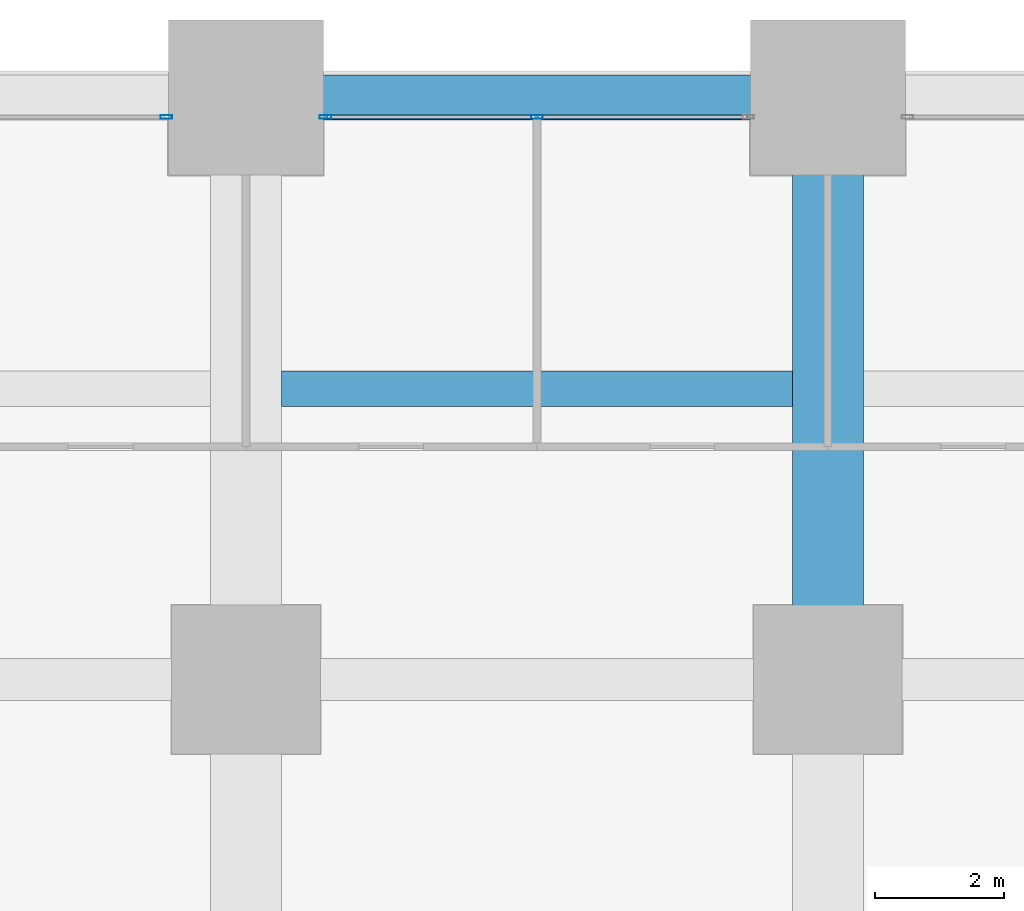
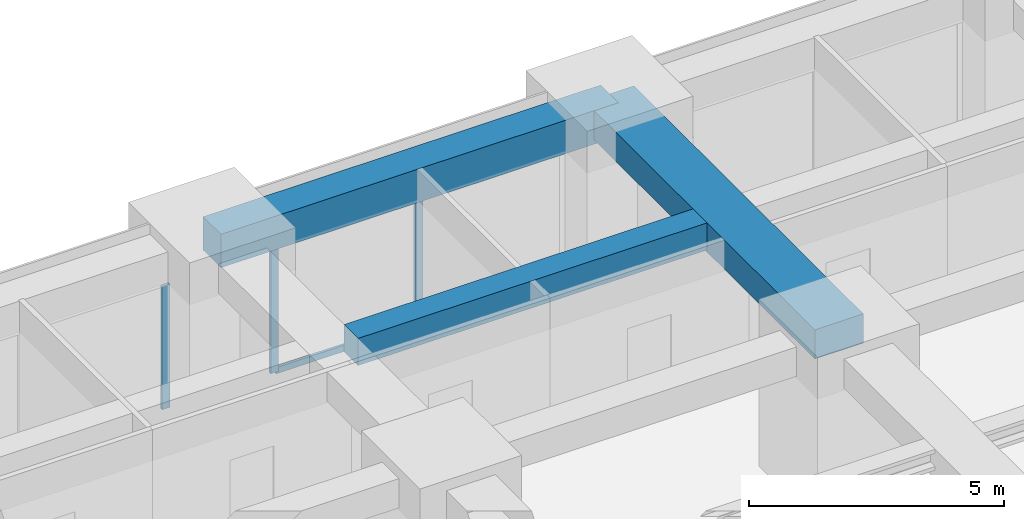
# One storey, part 29 of 44: 4 members, 3 beams, 2 elements without a shape of their own.
"""IFC4 building model written with IfcOpenShell, lengths in metres."""

from ifc_helpers import new_model, si_unit, direction, frame, origin, origin_2d, place, context, subcontext, project, spatial, rectangle, hollow_rectangle, extrude, material, material_profile, profile_set, type_object, element, aggregate, save


model = new_model("IFC4")

# Units and contexts
model_context = context("Model", 3, precision=1e-05, world=origin(), true_north=direction((0.0, 1.0)))
body_context = subcontext(model_context, "Body", "Model", "MODEL_VIEW")
ifc_project = project(units=[si_unit("LENGTHUNIT", "METRE"), si_unit("AREAUNIT", "SQUARE_METRE"), si_unit("VOLUMEUNIT", "CUBIC_METRE"), si_unit("PLANEANGLEUNIT", "RADIAN"), si_unit("MASSUNIT", "GRAM", prefix="KILO")], contexts=[model_context])

# Site, building, storey
site_placement = place(None, origin())
site = spatial("IfcSite", under=ifc_project, at=site_placement, CompositionType="ELEMENT")
building_placement = place(site_placement, origin())
building = spatial("IfcBuilding", under=site, at=building_placement, Name="Zorevar Civic Tower", CompositionType="ELEMENT")
storey_placement = place(building_placement, frame((0.0, 0.0, 31.800048828125)))
storey = spatial("IfcBuildingStorey", under=building, at=storey_placement, Name="L07", CompositionType="ELEMENT", Elevation=31.800048828125)

# Beams
ifc_material_1 = material(Name="Concrete C50/60", Category="concrete")
ifc_material_profile_1 = material_profile(ifc_material_1, rectangle(XDim=1.10009765625, YDim=0.699951171875, at=origin_2d()), Name="RC 1100x700")
ifc_profile_set_1 = profile_set([ifc_material_profile_1], Name="Concrete C50/60")
beam_type_1 = type_object("IfcBeamType", Name="Beam RC 1100x700", PredefinedType="BEAM", material=ifc_profile_set_1)
beam_1_placement = place(storey_placement, frame((27.0, 45.0, 3.39990234375), z_axis=(0.0, 1.0, 0.0), x_axis=(-1.0, 0.0, 0.0)))
element("IfcBeam", 1, at=beam_1_placement, inside=storey, type_object=beam_type_1, Name="Girder L08", PredefinedType="BEAM", context=body_context, shape_type="SweptSolid", body=[
    extrude(rectangle(XDim=1.10009765625, YDim=0.699951171875, at=origin_2d()), origin(), (0.0, 0.0, 1.0), 9.0),
])
ifc_material_2 = material(Name="Concrete C50/60", Category="concrete")
ifc_material_profile_2 = material_profile(ifc_material_2, rectangle(XDim=0.550048828125, YDim=0.64990234375, at=origin_2d()), Name="RC 550x650")
ifc_profile_set_2 = profile_set([ifc_material_profile_2], Name="Concrete C50/60")
beam_type_2 = type_object("IfcBeamType", Name="Beam RC 550x650", PredefinedType="BEAM", material=ifc_profile_set_2)
beam_2_placement = place(storey_placement, frame((18.550048828125, 49.5, 3.425048828125), z_axis=(1.0, 0.0, 0.0), x_axis=(0.0, 1.0, 0.0)))
element("IfcBeam", 2, at=beam_2_placement, inside=storey, type_object=beam_type_2, Name="Secondary beam L08", PredefinedType="BEAM", context=body_context, shape_type="SweptSolid", body=[
    extrude(rectangle(XDim=0.550048828125, YDim=0.64990234375, at=origin_2d()), origin(), (0.0, 0.0, 1.0), 7.89990234375),
])

# Curtain wall, member
ifc_material_3 = material(Name="Dark grey solar-control glass in black aluminium frame", Category="aluminium")
curtain_wall_type = type_object("IfcCurtainWallType", Name="Curtain wall CW2 low zone", PredefinedType="NOTDEFINED", material=ifc_material_3)
curtain_wall_1_placement = place(storey_placement, origin())
curtain_wall_1 = element("IfcCurtainWall", 3, at=curtain_wall_1_placement, inside=storey, type_object=curtain_wall_type, Name="CW2 L07", PredefinedType="NOTDEFINED")
ifc_material_4 = material(Name="Aluminium, black anodised", Category="aluminium")
ifc_material_profile_3 = material_profile(ifc_material_4, hollow_rectangle(XDim=0.06005859375, YDim=0.179931640625, WallThickness=0.00390625, at=origin_2d()), Name="AL 180x60x4")
ifc_profile_set_3 = profile_set([ifc_material_profile_3], Name="Aluminium, black anodised")
member_type_1 = type_object("IfcMemberType", Name="CW2 mullion AL 180x60x4", PredefinedType="MULLION", material=ifc_profile_set_3)
member_1_placement = place(storey_placement, frame((16.77001953125, 53.699951171875, 0.0), z_axis=(0.0, 0.0, 1.0), x_axis=(0.0, 1.0, 0.0)))
member_1 = element("IfcMember", 4, at=member_1_placement, type_object=member_type_1, Name="CW2 mullion 3", PredefinedType="MULLION", context=body_context, shape_type="SweptSolid", body=[
    extrude(hollow_rectangle(XDim=0.06005859375, YDim=0.179931640625, WallThickness=0.00390625, at=origin_2d()), origin(), (0.0, 0.0, 1.0), 2.949951171875),
])
aggregate(curtain_wall_1, [member_1])

# Curtain wall, members
curtain_wall_2_placement = place(storey_placement, origin())
curtain_wall_2 = element("IfcCurtainWall", 5, at=curtain_wall_2_placement, inside=storey, type_object=curtain_wall_type, Name="CW2 L07", PredefinedType="NOTDEFINED")
member_2_placement = place(storey_placement, frame((19.22998046875, 53.699951171875, 0.0), z_axis=(0.0, 0.0, 1.0), x_axis=(0.0, 1.0, 0.0)))
member_2 = element("IfcMember", 6, at=member_2_placement, type_object=member_type_1, Name="CW2 mullion 1", PredefinedType="MULLION", context=body_context, shape_type="SweptSolid", body=[
    extrude(hollow_rectangle(XDim=0.06005859375, YDim=0.179931640625, WallThickness=0.00390625, at=origin_2d()), origin(), (0.0, 0.0, 1.0), 2.949951171875),
])
member_3_placement = place(storey_placement, frame((22.5, 53.699951171875, 0.06005859375), z_axis=(0.0, 0.0, 1.0), x_axis=(0.0, 1.0, 0.0)))
member_3 = element("IfcMember", 7, at=member_3_placement, type_object=member_type_1, Name="CW2 mullion 2", PredefinedType="MULLION", context=body_context, shape_type="SweptSolid", body=[
    extrude(hollow_rectangle(XDim=0.06005859375, YDim=0.179931640625, WallThickness=0.00390625, at=origin_2d()), origin(), (0.0, 0.0, 1.0), 2.889892578125),
])
ifc_material_5 = material(Name="Aluminium, black anodised", Category="aluminium")
ifc_material_profile_4 = material_profile(ifc_material_5, hollow_rectangle(XDim=0.06005859375, YDim=0.14990234375, WallThickness=0.00390625, at=origin_2d()), Name="AL 150x60x4")
ifc_profile_set_4 = profile_set([ifc_material_profile_4], Name="Aluminium, black anodised")
member_type_2 = type_object("IfcMemberType", Name="CW2 transom AL 150x60x4", PredefinedType="USERDEFINED", material=ifc_profile_set_4)
member_4_placement = place(storey_placement, frame((19.260009765625, 53.699951171875, 0.030029296875), z_axis=(1.0, 0.0, 0.0), x_axis=(0.0, 1.0, 0.0)))
member_4 = element("IfcMember", 8, at=member_4_placement, type_object=member_type_2, Name="CW2 sill transom", ObjectType="TRANSOM", PredefinedType="USERDEFINED", context=body_context, shape_type="SweptSolid", body=[
    extrude(hollow_rectangle(XDim=0.06005859375, YDim=0.14990234375, WallThickness=0.00390625, at=origin_2d()), origin(), (0.0, 0.0, 1.0), 6.47998046875),
])
aggregate(curtain_wall_2, [member_2, member_3, member_4])

# Beam
ifc_material_6 = material(Name="Concrete C50/60", Category="concrete")
ifc_material_profile_5 = material_profile(ifc_material_6, rectangle(XDim=0.699951171875, YDim=0.800048828125, at=origin_2d()), Name="RC 700x800")
ifc_profile_set_5 = profile_set([ifc_material_profile_5], Name="Concrete C50/60")
beam_type_3 = type_object("IfcBeamType", Name="Edge beam RC 700x800", PredefinedType="SPANDREL", material=ifc_profile_set_5)
beam_3_placement = place(storey_placement, frame((18.0, 54.0, 3.349853515625), z_axis=(1.0, 0.0, 0.0), x_axis=(0.0, 1.0, 0.0)))
element("IfcBeam", 9, at=beam_3_placement, inside=storey, type_object=beam_type_3, Name="Edge beam L08", PredefinedType="SPANDREL", context=body_context, shape_type="SweptSolid", body=[
    extrude(rectangle(XDim=0.699951171875, YDim=0.800048828125, at=origin_2d()), origin(), (0.0, 0.0, 1.0), 9.0),
])

save(model, "model.ifc")
